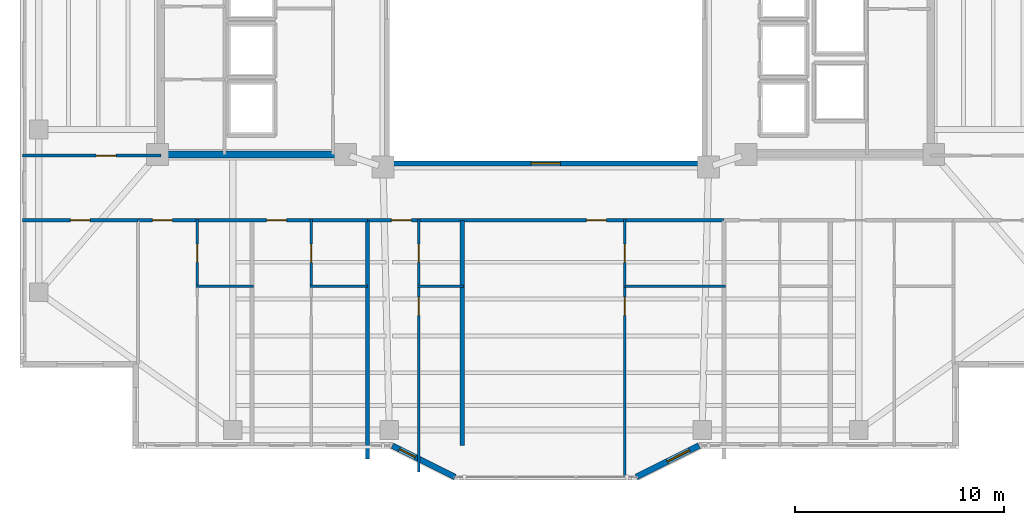
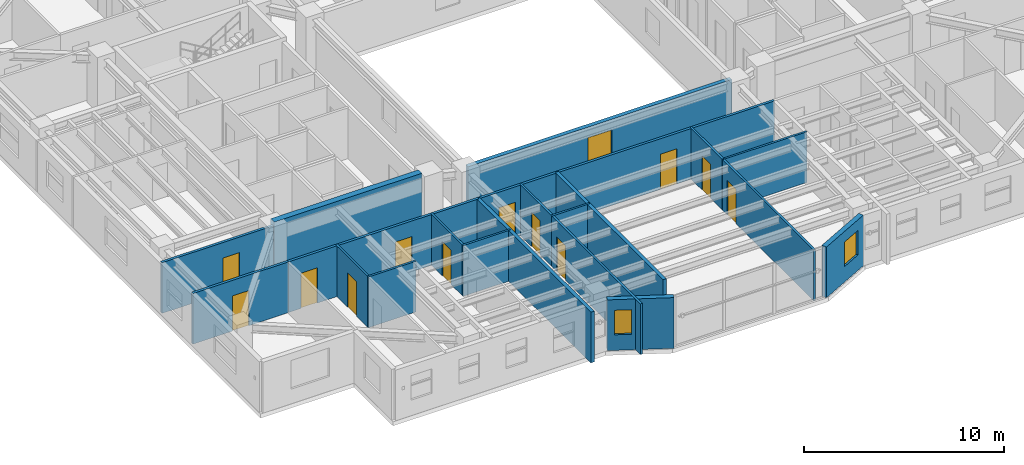
# One storey, part 6 of 16: 20 walls, 12 doors, 3 windows, 15 openings.
"""IFC4 building model written with IfcOpenShell, lengths in metres."""

from ifc_helpers import new_model, si_unit, direction, frame, frame_2d, origin, place, context, subcontext, project, spatial, rectangle, extrude, material, layer, layer_set, type_object, element, fill, save


model = new_model("IFC4")

# Units and contexts
model_context = context("Model", 3, precision=1e-05, world=origin(), true_north=direction((0.0, 1.0)))
body_context = subcontext(model_context, "Body", "Model", "MODEL_VIEW")
ifc_project = project(units=[si_unit("LENGTHUNIT", "METRE"), si_unit("AREAUNIT", "SQUARE_METRE"), si_unit("VOLUMEUNIT", "CUBIC_METRE"), si_unit("PLANEANGLEUNIT", "RADIAN"), si_unit("MASSUNIT", "GRAM", prefix="KILO")], contexts=[model_context])

# Site, building, storey
site_placement = place(None, origin())
site = spatial("IfcSite", under=ifc_project, at=site_placement, CompositionType="ELEMENT")
building_placement = place(site_placement, origin())
building = spatial("IfcBuilding", under=site, at=building_placement, Name="Tarnavaz Court Tower", CompositionType="ELEMENT")
storey_placement = place(building_placement, frame((0.0, 0.0, 135.949951171875)))
storey = spatial("IfcBuildingStorey", under=building, at=storey_placement, Name="L36", CompositionType="ELEMENT", Elevation=135.949951171875)

# Wall
ifc_material_1 = material(Name="Concrete C50/60", Category="concrete")
ifc_layer_1 = layer(ifc_material_1, 0.35009765625)
ifc_layer_set_1 = layer_set([ifc_layer_1], Name="Concrete C50/60")
wall_type_1 = type_object("IfcWallType", Name="WL-CORE-350-C50", PredefinedType="SHEAR", material=ifc_layer_set_1)
wall_1_placement = place(storey_placement, frame((-18.625, -7.199951171875, 0.0), z_axis=(0.0, 0.0, 1.0), x_axis=(1.0, 0.0, 0.0)))
element("IfcWall", 1, at=wall_1_placement, inside=storey, type_object=wall_type_1, Name="L36 West Core South Shear Wall 058", PredefinedType="SHEAR", context=body_context, shape_type="SweptSolid", body=[
    extrude(rectangle(XDim=8.550048828125, YDim=0.35009765625, at=frame_2d((4.27490234375, 0.0))), origin(), (0.0, 0.0, 1.0), 3.35009765625),
])

# Wall, opening, window
ifc_material_2 = material(Name="Precast Concrete C40/50", Category="concrete")
ifc_layer_2 = layer(ifc_material_2, 0.280029296875)
ifc_layer_set_2 = layer_set([ifc_layer_2], Name="Precast Concrete C40/50")
wall_type_2 = type_object("IfcWallType", Name="WL-EXT-280", PredefinedType="SOLIDWALL", material=ifc_layer_set_2)
wall_2_placement = place(storey_placement, frame((7.35009765625, -21.14990234375, 0.0), z_axis=(0.0, 0.0, 1.0), x_axis=(-0.894427191, -0.4472135955, 0.0)))
wall_2 = element("IfcWall", 2, at=wall_2_placement, inside=storey, type_object=wall_type_2, Name="L36 Exterior Terracotta Facade Wall 16", PredefinedType="SOLIDWALL", context=body_context, shape_type="SweptSolid", body=[
    extrude(rectangle(XDim=3.35400390625, YDim=0.280029296875, at=frame_2d((1.677001953125, 0.0))), origin(), (0.0, 0.0, 1.0), 3.10009765625),
])
opening_1_placement = place(wall_2_placement, frame((0.501220703125, 0.0, 0.949951171875)))
opening_1 = element("IfcOpeningElement", 3, at=opening_1_placement, cuts=wall_2, Name="Opening W05", PredefinedType="OPENING", context=body_context, shape_type="SweptSolid", body=[
    extrude(rectangle(XDim=1.199951171875, YDim=1.5, at=frame_2d((0.60009765625, 0.75))), frame((0.0, 0.14990234375, 0.0), z_axis=(0.0, -1.0, 0.0), x_axis=(1.0, 0.0, 0.0)), (0.0, 0.0, 1.0), 0.300048828125),
])
ifc_material_3 = material(Name="Double-Glazed Solar Low-E Glass", Category="glass")
window_type_1 = type_object("IfcWindowType", Name="WN-APT-1200", PartitioningType="SINGLE_PANEL", PredefinedType="WINDOW", material=ifc_material_3)
window_1_placement = place(opening_1_placement, origin())
window_1 = element("IfcWindow", 4, at=window_1_placement, inside=storey, type_object=window_type_1, Name="L36 Flat 10 Kitchen Window", OverallHeight=1.5, OverallWidth=1.199951171875, PartitioningType="SINGLE_PANEL", PredefinedType="WINDOW", context=body_context, shape_type="SweptSolid", body=[
    extrude(rectangle(XDim=1.199951171875, YDim=1.5, at=frame_2d((0.60009765625, 0.75))), frame((0.0, 0.030029296875, 0.0), z_axis=(0.0, -1.0, 0.0), x_axis=(1.0, 0.0, 0.0)), (0.0, 0.0, 1.0), 0.06005859375),
])
fill(opening_1, window_1)

wall_3_placement = place(storey_placement, frame((-4.35009765625, -22.64990234375, 0.0), z_axis=(0.0, 0.0, 1.0), x_axis=(-0.894427191, 0.4472135955, 0.0)))
wall_3 = element("IfcWall", 5, at=wall_3_placement, inside=storey, type_object=wall_type_2, Name="L36 Exterior Terracotta Facade Wall 18", PredefinedType="SOLIDWALL", context=body_context, shape_type="SweptSolid", body=[
    extrude(rectangle(XDim=3.35400390625, YDim=0.280029296875, at=frame_2d((1.677001953125, 0.0))), origin(), (0.0, 0.0, 1.0), 3.10009765625),
])
opening_2_placement = place(wall_3_placement, frame((2.12353515625, 0.0, 0.949951171875)))
opening_2 = element("IfcOpeningElement", 6, at=opening_2_placement, cuts=wall_3, Name="Opening W15", PredefinedType="OPENING", context=body_context, shape_type="SweptSolid", body=[
    extrude(rectangle(XDim=0.85009765625, YDim=1.5, at=frame_2d((0.425048828125, 0.75))), frame((0.0, 0.14990234375, 0.0), z_axis=(0.0, -1.0, 0.0), x_axis=(1.0, 0.0, 0.0)), (0.0, 0.0, 1.0), 0.300048828125),
])
window_type_2 = type_object("IfcWindowType", Name="WN-APT-850", PartitioningType="SINGLE_PANEL", PredefinedType="WINDOW", material=ifc_material_3)
window_2_placement = place(opening_2_placement, origin())
window_2 = element("IfcWindow", 7, at=window_2_placement, inside=storey, type_object=window_type_2, Name="L36 Prow Cheek Bedroom Window 18", OverallHeight=1.5, OverallWidth=0.85009765625, PartitioningType="SINGLE_PANEL", PredefinedType="WINDOW", context=body_context, shape_type="SweptSolid", body=[
    extrude(rectangle(XDim=0.85009765625, YDim=1.5, at=frame_2d((0.425048828125, 0.75))), frame((0.0, 0.030029296875, 0.0), z_axis=(0.0, -1.0, 0.0), x_axis=(1.0, 0.0, 0.0)), (0.0, 0.0, 1.0), 0.06005859375),
])
fill(opening_2, window_2)

# Wall, openings, doors
ifc_material_4 = material(Name="Gypsum Fire-Board on Acoustic Metal Stud", Category="masonry")
ifc_layer_3 = layer(ifc_material_4, 0.14990234375)
ifc_layer_set_3 = layer_set([ifc_layer_3], Name="Gypsum Fire-Board on Acoustic Metal Stud")
wall_type_3 = type_object("IfcWallType", Name="WL-FIRE-150", PredefinedType="PARTITIONING", material=ifc_layer_set_3)
wall_4_placement = place(storey_placement, frame((-19.550048828125, -10.35009765625, 0.0), z_axis=(0.0, 0.0, 1.0), x_axis=(1.0, 0.0, 0.0)))
wall_4 = element("IfcWall", 8, at=wall_4_placement, inside=storey, type_object=wall_type_3, Name="L36 SW Horseshoe Wall 074", PredefinedType="PARTITIONING", context=body_context, shape_type="SweptSolid", body=[
    extrude(rectangle(XDim=11.0, YDim=0.14990234375, at=frame_2d((5.5, 0.0))), origin(), (0.0, 0.0, 1.0), 3.10009765625),
])
opening_3_placement = place(wall_4_placement, frame((0.699951171875, 0.0, 0.0)))
opening_3 = element("IfcOpeningElement", 9, at=opening_3_placement, cuts=wall_4, Name="Opening D06", PredefinedType="OPENING", context=body_context, shape_type="SweptSolid", body=[
    extrude(rectangle(XDim=0.9599609375, YDim=2.14990234375, at=frame_2d((0.47998046875, 1.074951171875))), frame((0.0, 0.0849609375, 0.0), z_axis=(0.0, -1.0, 0.0), x_axis=(1.0, 0.0, 0.0)), (0.0, 0.0, 1.0), 0.169921875),
])
opening_4_placement = place(wall_4_placement, frame((6.175048828125, 0.0, 0.0)))
opening_4 = element("IfcOpeningElement", 10, at=opening_4_placement, cuts=wall_4, Name="Opening D06", PredefinedType="OPENING", context=body_context, shape_type="SweptSolid", body=[
    extrude(rectangle(XDim=0.9599609375, YDim=2.14990234375, at=frame_2d((0.47998046875, 1.074951171875))), frame((0.0, 0.0849609375, 0.0), z_axis=(0.0, -1.0, 0.0), x_axis=(1.0, 0.0, 0.0)), (0.0, 0.0, 1.0), 0.169921875),
])
ifc_material_5 = material(Name="Fire-Rated Hardwood Timber Core", Category="wood")
door_type_1 = type_object("IfcDoorType", Name="DR-FD60-950", OperationType="NOTDEFINED", PredefinedType="DOOR", material=ifc_material_5)
door_1_placement = place(opening_3_placement, origin())
door_1 = element("IfcDoor", 11, at=door_1_placement, inside=storey, type_object=door_type_1, Name="L36 Flat 05 Entrance Door", OperationType="SINGLE_SWING_RIGHT", OverallHeight=2.14990234375, OverallWidth=0.9599609375, PredefinedType="DOOR", context=body_context, shape_type="SweptSolid", body=[
    extrude(rectangle(XDim=0.9599609375, YDim=2.14990234375, at=frame_2d((0.47998046875, 1.074951171875))), frame((0.0, 0.02490234375, 0.0), z_axis=(0.0, -1.0, 0.0), x_axis=(1.0, 0.0, 0.0)), (0.0, 0.0, 1.0), 0.050048828125),
])
fill(opening_3, door_1)
door_2_placement = place(opening_4_placement, origin())
door_2 = element("IfcDoor", 12, at=door_2_placement, inside=storey, type_object=door_type_1, Name="L36 Flat 06 Entrance Door", OperationType="SINGLE_SWING_LEFT", OverallHeight=2.14990234375, OverallWidth=0.9599609375, PredefinedType="DOOR", context=body_context, shape_type="SweptSolid", body=[
    extrude(rectangle(XDim=0.9599609375, YDim=2.14990234375, at=frame_2d((0.47998046875, 1.074951171875))), frame((0.0, 0.02490234375, 0.0), z_axis=(0.0, -1.0, 0.0), x_axis=(1.0, 0.0, 0.0)), (0.0, 0.0, 1.0), 0.050048828125),
])
fill(opening_4, door_2)

wall_5_placement = place(storey_placement, frame((-8.550048828125, -10.35009765625, 0.0), z_axis=(0.0, 0.0, 1.0), x_axis=(1.0, 0.0, 0.0)))
wall_5 = element("IfcWall", 13, at=wall_5_placement, inside=storey, type_object=wall_type_3, Name="L36 Interior Partition 107", PredefinedType="PARTITIONING", context=body_context, shape_type="SweptSolid", body=[
    extrude(rectangle(XDim=17.10009765625, YDim=0.14990234375, at=frame_2d((8.550048828125, 0.0))), origin(), (0.0, 0.0, 1.0), 3.10009765625),
])
opening_5_placement = place(wall_5_placement, frame((1.14990234375, 0.0, 0.0)))
opening_5 = element("IfcOpeningElement", 14, at=opening_5_placement, cuts=wall_5, Name="Opening D06", PredefinedType="OPENING", context=body_context, shape_type="SweptSolid", body=[
    extrude(rectangle(XDim=0.9599609375, YDim=2.14990234375, at=frame_2d((0.47998046875, 1.074951171875))), frame((0.0, 0.0849609375, 0.0), z_axis=(0.0, -1.0, 0.0), x_axis=(1.0, 0.0, 0.0)), (0.0, 0.0, 1.0), 0.169921875),
])
opening_6_placement = place(wall_5_placement, frame((10.5, 0.0, 0.0)))
opening_6 = element("IfcOpeningElement", 15, at=opening_6_placement, cuts=wall_5, Name="Opening D06", PredefinedType="OPENING", context=body_context, shape_type="SweptSolid", body=[
    extrude(rectangle(XDim=0.9599609375, YDim=2.14990234375, at=frame_2d((0.47998046875, 1.074951171875))), frame((0.0, 0.0849609375, 0.0), z_axis=(0.0, -1.0, 0.0), x_axis=(1.0, 0.0, 0.0)), (0.0, 0.0, 1.0), 0.169921875),
])
door_3_placement = place(opening_5_placement, origin())
door_3 = element("IfcDoor", 16, at=door_3_placement, inside=storey, type_object=door_type_1, Name="L36 Flat 09 Entrance Door", OperationType="SINGLE_SWING_RIGHT", OverallHeight=2.14990234375, OverallWidth=0.9599609375, PredefinedType="DOOR", context=body_context, shape_type="SweptSolid", body=[
    extrude(rectangle(XDim=0.9599609375, YDim=2.14990234375, at=frame_2d((0.47998046875, 1.074951171875))), frame((0.0, 0.02490234375, 0.0), z_axis=(0.0, -1.0, 0.0), x_axis=(1.0, 0.0, 0.0)), (0.0, 0.0, 1.0), 0.050048828125),
])
fill(opening_5, door_3)
door_4_placement = place(opening_6_placement, origin())
door_4 = element("IfcDoor", 17, at=door_4_placement, inside=storey, type_object=door_type_1, Name="L36 Flat 10 Entrance Door", OperationType="SINGLE_SWING_LEFT", OverallHeight=2.14990234375, OverallWidth=0.9599609375, PredefinedType="DOOR", context=body_context, shape_type="SweptSolid", body=[
    extrude(rectangle(XDim=0.9599609375, YDim=2.14990234375, at=frame_2d((0.47998046875, 1.074951171875))), frame((0.0, 0.02490234375, 0.0), z_axis=(0.0, -1.0, 0.0), x_axis=(1.0, 0.0, 0.0)), (0.0, 0.0, 1.0), 0.050048828125),
])
fill(opening_6, door_4)

# Wall, opening, door
wall_6_placement = place(storey_placement, frame((-25.080078125, -7.25, 0.0), z_axis=(0.0, 0.0, 1.0), x_axis=(1.0, 0.0, 0.0)))
wall_6 = element("IfcWall", 18, at=wall_6_placement, inside=storey, type_object=wall_type_3, Name="L36 Interior Partition 115", PredefinedType="PARTITIONING", context=body_context, shape_type="SweptSolid", body=[
    extrude(rectangle(XDim=6.630126953125, YDim=0.14990234375, at=frame_2d((3.31494140625, 0.0))), origin(), (0.0, 0.0, 1.0), 3.10009765625),
])
opening_7_placement = place(wall_6_placement, frame((3.530029296875, 0.0, 0.0)))
opening_7 = element("IfcOpeningElement", 19, at=opening_7_placement, cuts=wall_6, Name="Opening D06", PredefinedType="OPENING", context=body_context, shape_type="SweptSolid", body=[
    extrude(rectangle(XDim=0.9599609375, YDim=2.14990234375, at=frame_2d((0.47998046875, 1.074951171875))), frame((0.0, 0.0849609375, 0.0), z_axis=(0.0, -1.0, 0.0), x_axis=(1.0, 0.0, 0.0)), (0.0, 0.0, 1.0), 0.169921875),
])
door_5_placement = place(opening_7_placement, origin())
door_5 = element("IfcDoor", 20, at=door_5_placement, inside=storey, type_object=door_type_1, Name="L36 Flat 11 Entrance Door", OperationType="SINGLE_SWING_RIGHT", OverallHeight=2.14990234375, OverallWidth=0.9599609375, PredefinedType="DOOR", context=body_context, shape_type="SweptSolid", body=[
    extrude(rectangle(XDim=0.9599609375, YDim=2.14990234375, at=frame_2d((0.47998046875, 1.074951171875))), frame((0.0, 0.02490234375, 0.0), z_axis=(0.0, -1.0, 0.0), x_axis=(1.0, 0.0, 0.0)), (0.0, 0.0, 1.0), 0.050048828125),
])
fill(opening_7, door_5)

wall_7_placement = place(storey_placement, frame((-25.080078125, -10.35009765625, 0.0), z_axis=(0.0, 0.0, 1.0), x_axis=(1.0, 0.0, 0.0)))
wall_7 = element("IfcWall", 21, at=wall_7_placement, inside=storey, type_object=wall_type_3, Name="L36 Interior Partition 125", PredefinedType="PARTITIONING", context=body_context, shape_type="SweptSolid", body=[
    extrude(rectangle(XDim=5.530029296875, YDim=0.14990234375, at=frame_2d((2.76513671875, 0.0))), origin(), (0.0, 0.0, 1.0), 3.10009765625),
])
opening_8_placement = place(wall_7_placement, frame((2.2900390625, 0.0, 0.0)))
opening_8 = element("IfcOpeningElement", 22, at=opening_8_placement, cuts=wall_7, Name="Opening D13", PredefinedType="OPENING", context=body_context, shape_type="SweptSolid", body=[
    extrude(rectangle(XDim=0.949951171875, YDim=2.14990234375, at=frame_2d((0.47509765625, 1.074951171875))), frame((0.0, 0.0849609375, 0.0), z_axis=(0.0, -1.0, 0.0), x_axis=(1.0, 0.0, 0.0)), (0.0, 0.0, 1.0), 0.169921875),
])
ifc_material_6 = material(Name="Engineered Oak Timber", Category="wood")
door_type_2 = type_object("IfcDoorType", Name="DR-INT-950", OperationType="NOTDEFINED", PredefinedType="DOOR", material=ifc_material_6)
door_6_placement = place(opening_8_placement, origin())
door_6 = element("IfcDoor", 23, at=door_6_placement, inside=storey, type_object=door_type_2, Name="L36 SW Reading Room Door", OperationType="SINGLE_SWING_RIGHT", OverallHeight=2.14990234375, OverallWidth=0.949951171875, PredefinedType="DOOR", context=body_context, shape_type="SweptSolid", body=[
    extrude(rectangle(XDim=0.949951171875, YDim=2.14990234375, at=frame_2d((0.47509765625, 1.074951171875))), frame((0.0, 0.02490234375, 0.0), z_axis=(0.0, -1.0, 0.0), x_axis=(1.0, 0.0, 0.0)), (0.0, 0.0, 1.0), 0.050048828125),
])
fill(opening_8, door_6)

# Walls
ifc_material_7 = material(Name="Autoclaved Aerated Concrete Blockwork", Category="masonry")
ifc_layer_4 = layer(ifc_material_7, 0.199951171875)
ifc_layer_set_4 = layer_set([ifc_layer_4], Name="Autoclaved Aerated Concrete Blockwork")
wall_type_4 = type_object("IfcWallType", Name="WL-FIRE-200", PredefinedType="SOLIDWALL", material=ifc_layer_set_4)
wall_8_placement = place(storey_placement, frame((-8.550048828125, -21.803955078125, 0.0), z_axis=(0.0, 0.0, 1.0), x_axis=(0.0, 1.0, 0.0)))
element("IfcWall", 24, at=wall_8_placement, inside=storey, type_object=wall_type_4, Name="L36 Party Wall 105", PredefinedType="SOLIDWALL", context=body_context, shape_type="SweptSolid", body=[
    extrude(rectangle(XDim=11.453857421875, YDim=0.199951171875, at=frame_2d((5.72705078125, 0.0))), origin(), (0.0, 0.0, 1.0), 3.10009765625),
])
wall_9_placement = place(storey_placement, frame((-4.0, -21.14990234375, 0.0), z_axis=(0.0, 0.0, 1.0), x_axis=(0.0, 1.0, 0.0)))
element("IfcWall", 25, at=wall_9_placement, inside=storey, type_object=wall_type_4, Name="L36 Party Wall 108", PredefinedType="SOLIDWALL", context=body_context, shape_type="SweptSolid", body=[
    extrude(rectangle(XDim=10.7998046875, YDim=0.199951171875, at=frame_2d((5.39990234375, 0.0))), origin(), (0.0, 0.0, 1.0), 3.10009765625),
])

# Wall, opening, door
ifc_material_8 = material(Name="Moisture-Resistant Gypsum Board Partition", Category="masonry")
ifc_layer_5 = layer(ifc_material_8, 0.1201171875)
ifc_layer_set_5 = layer_set([ifc_layer_5], Name="Moisture-Resistant Gypsum Board Partition")
wall_type_5 = type_object("IfcWallType", Name="WL-PART-120", PredefinedType="PARTITIONING", material=ifc_layer_set_5)
wall_10_placement = place(storey_placement, frame((-16.705078125, -13.510009765625, 0.0), z_axis=(0.0, 0.0, 1.0), x_axis=(0.0, 1.0, 0.0)))
wall_10 = element("IfcWall", 26, at=wall_10_placement, inside=storey, type_object=wall_type_5, Name="L36 Interior Partition 093", PredefinedType="PARTITIONING", context=body_context, shape_type="SweptSolid", body=[
    extrude(rectangle(XDim=3.219970703125, YDim=0.1201171875, at=frame_2d((1.60986328125, 0.0))), origin(), (0.0, 0.0, 1.0), 3.10009765625),
])
opening_9_placement = place(wall_10_placement, frame((1.139892578125, 0.0, 0.0)))
opening_9 = element("IfcOpeningElement", 27, at=opening_9_placement, cuts=wall_10, Name="Opening D14", PredefinedType="OPENING", context=body_context, shape_type="SweptSolid", body=[
    extrude(rectangle(XDim=0.8798828125, YDim=2.10009765625, at=frame_2d((0.43994140625, 1.050048828125))), frame((0.0, 0.070068359375, 0.0), z_axis=(0.0, -1.0, 0.0), x_axis=(1.0, 0.0, 0.0)), (0.0, 0.0, 1.0), 0.14013671875),
])
door_type_3 = type_object("IfcDoorType", Name="DR-INT-900", OperationType="NOTDEFINED", PredefinedType="DOOR", material=ifc_material_6)
door_7_placement = place(opening_9_placement, origin())
door_7 = element("IfcDoor", 28, at=door_7_placement, inside=storey, type_object=door_type_3, Name="L36 Flat 05 Bathroom Door", OperationType="SINGLE_SWING_RIGHT", OverallHeight=2.10009765625, OverallWidth=0.8798828125, PredefinedType="DOOR", context=body_context, shape_type="SweptSolid", body=[
    extrude(rectangle(XDim=0.8798828125, YDim=2.10009765625, at=frame_2d((0.43994140625, 1.050048828125))), frame((0.0, 0.02490234375, 0.0), z_axis=(0.0, -1.0, 0.0), x_axis=(1.0, 0.0, 0.0)), (0.0, 0.0, 1.0), 0.050048828125),
])
fill(opening_9, door_7)

# Wall
wall_11_placement = place(storey_placement, frame((-16.764892578125, -13.510009765625, 0.0), z_axis=(0.0, 0.0, 1.0), x_axis=(1.0, 0.0, 0.0)))
element("IfcWall", 29, at=wall_11_placement, inside=storey, type_object=wall_type_5, Name="L36 Interior Partition 094", PredefinedType="PARTITIONING", context=body_context, shape_type="SweptSolid", body=[
    extrude(rectangle(XDim=2.75, YDim=0.1201171875, at=frame_2d((1.375, 0.0))), origin(), (0.0, 0.0, 1.0), 3.10009765625),
])

# Wall, opening, door
wall_12_placement = place(storey_placement, frame((-11.22998046875, -13.510009765625, 0.0), z_axis=(0.0, 0.0, 1.0), x_axis=(0.0, 1.0, 0.0)))
wall_12 = element("IfcWall", 30, at=wall_12_placement, inside=storey, type_object=wall_type_5, Name="L36 Interior Partition 096", PredefinedType="PARTITIONING", context=body_context, shape_type="SweptSolid", body=[
    extrude(rectangle(XDim=3.219970703125, YDim=0.1201171875, at=frame_2d((1.60986328125, 0.0))), origin(), (0.0, 0.0, 1.0), 3.10009765625),
])
opening_10_placement = place(wall_12_placement, frame((1.139892578125, 0.0, 0.0)))
opening_10 = element("IfcOpeningElement", 31, at=opening_10_placement, cuts=wall_12, Name="Opening D14", PredefinedType="OPENING", context=body_context, shape_type="SweptSolid", body=[
    extrude(rectangle(XDim=0.8798828125, YDim=2.10009765625, at=frame_2d((0.43994140625, 1.050048828125))), frame((0.0, 0.070068359375, 0.0), z_axis=(0.0, -1.0, 0.0), x_axis=(1.0, 0.0, 0.0)), (0.0, 0.0, 1.0), 0.14013671875),
])
door_8_placement = place(opening_10_placement, origin())
door_8 = element("IfcDoor", 32, at=door_8_placement, inside=storey, type_object=door_type_3, Name="L36 Flat 06 Bathroom Door", OperationType="SINGLE_SWING_LEFT", OverallHeight=2.10009765625, OverallWidth=0.8798828125, PredefinedType="DOOR", context=body_context, shape_type="SweptSolid", body=[
    extrude(rectangle(XDim=0.8798828125, YDim=2.10009765625, at=frame_2d((0.43994140625, 1.050048828125))), frame((0.0, 0.02490234375, 0.0), z_axis=(0.0, -1.0, 0.0), x_axis=(1.0, 0.0, 0.0)), (0.0, 0.0, 1.0), 0.050048828125),
])
fill(opening_10, door_8)

# Wall
wall_13_placement = place(storey_placement, frame((-11.2900390625, -13.510009765625, 0.0), z_axis=(0.0, 0.0, 1.0), x_axis=(1.0, 0.0, 0.0)))
element("IfcWall", 33, at=wall_13_placement, inside=storey, type_object=wall_type_5, Name="L36 Interior Partition 097", PredefinedType="PARTITIONING", context=body_context, shape_type="SweptSolid", body=[
    extrude(rectangle(XDim=2.75, YDim=0.1201171875, at=frame_2d((1.375, 0.0))), origin(), (0.0, 0.0, 1.0), 3.10009765625),
])

# Wall, opening, door
wall_14_placement = place(storey_placement, frame((-6.080078125, -22.4140625, 0.0), z_axis=(0.0, 0.0, 1.0), x_axis=(0.0, 1.0, 0.0)))
wall_14 = element("IfcWall", 34, at=wall_14_placement, inside=storey, type_object=wall_type_5, Name="L36 Interior Partition 109", PredefinedType="PARTITIONING", context=body_context, shape_type="SweptSolid", body=[
    extrude(rectangle(XDim=8.904052734375, YDim=0.1201171875, at=frame_2d((4.4521484375, 0.0))), origin(), (0.0, 0.0, 1.0), 3.10009765625),
])
opening_11_placement = place(wall_14_placement, frame((7.50390625, 0.0, 0.0)))
opening_11 = element("IfcOpeningElement", 35, at=opening_11_placement, cuts=wall_14, Name="Opening D14", PredefinedType="OPENING", context=body_context, shape_type="SweptSolid", body=[
    extrude(rectangle(XDim=0.8798828125, YDim=2.10009765625, at=frame_2d((0.43994140625, 1.050048828125))), frame((0.0, 0.070068359375, 0.0), z_axis=(0.0, -1.0, 0.0), x_axis=(1.0, 0.0, 0.0)), (0.0, 0.0, 1.0), 0.14013671875),
])
door_9_placement = place(opening_11_placement, origin())
door_9 = element("IfcDoor", 36, at=door_9_placement, inside=storey, type_object=door_type_3, Name="L36 Flat 09 Kitchen Door", OperationType="SINGLE_SWING_LEFT", OverallHeight=2.10009765625, OverallWidth=0.8798828125, PredefinedType="DOOR", context=body_context, shape_type="SweptSolid", body=[
    extrude(rectangle(XDim=0.8798828125, YDim=2.10009765625, at=frame_2d((0.43994140625, 1.050048828125))), frame((0.0, 0.02490234375, 0.0), z_axis=(0.0, -1.0, 0.0), x_axis=(1.0, 0.0, 0.0)), (0.0, 0.0, 1.0), 0.050048828125),
])
fill(opening_11, door_9)

wall_15_placement = place(storey_placement, frame((-6.080078125, -13.510009765625, 0.0), z_axis=(0.0, 0.0, 1.0), x_axis=(0.0, 1.0, 0.0)))
wall_15 = element("IfcWall", 37, at=wall_15_placement, inside=storey, type_object=wall_type_5, Name="L36 Interior Partition 110", PredefinedType="PARTITIONING", context=body_context, shape_type="SweptSolid", body=[
    extrude(rectangle(XDim=3.219970703125, YDim=0.1201171875, at=frame_2d((1.60986328125, 0.0))), origin(), (0.0, 0.0, 1.0), 3.10009765625),
])
opening_12_placement = place(wall_15_placement, frame((1.139892578125, 0.0, 0.0)))
opening_12 = element("IfcOpeningElement", 38, at=opening_12_placement, cuts=wall_15, Name="Opening D14", PredefinedType="OPENING", context=body_context, shape_type="SweptSolid", body=[
    extrude(rectangle(XDim=0.8798828125, YDim=2.10009765625, at=frame_2d((0.43994140625, 1.050048828125))), frame((0.0, 0.070068359375, 0.0), z_axis=(0.0, -1.0, 0.0), x_axis=(1.0, 0.0, 0.0)), (0.0, 0.0, 1.0), 0.14013671875),
])
door_10_placement = place(opening_12_placement, origin())
door_10 = element("IfcDoor", 39, at=door_10_placement, inside=storey, type_object=door_type_3, Name="L36 Flat 09 Bathroom Door", OperationType="SINGLE_SWING_RIGHT", OverallHeight=2.10009765625, OverallWidth=0.8798828125, PredefinedType="DOOR", context=body_context, shape_type="SweptSolid", body=[
    extrude(rectangle(XDim=0.8798828125, YDim=2.10009765625, at=frame_2d((0.43994140625, 1.050048828125))), frame((0.0, 0.02490234375, 0.0), z_axis=(0.0, -1.0, 0.0), x_axis=(1.0, 0.0, 0.0)), (0.0, 0.0, 1.0), 0.050048828125),
])
fill(opening_12, door_10)

# Wall
wall_16_placement = place(storey_placement, frame((-6.139892578125, -13.510009765625, 0.0), z_axis=(0.0, 0.0, 1.0), x_axis=(1.0, 0.0, 0.0)))
element("IfcWall", 40, at=wall_16_placement, inside=storey, type_object=wall_type_5, Name="L36 Interior Partition 111", PredefinedType="PARTITIONING", context=body_context, shape_type="SweptSolid", body=[
    extrude(rectangle(XDim=2.199951171875, YDim=0.1201171875, at=frame_2d((1.10009765625, 0.0))), origin(), (0.0, 0.0, 1.0), 3.10009765625),
])

# Wall, opening, door
wall_17_placement = place(storey_placement, frame((3.780029296875, -22.679931640625, 0.0), z_axis=(0.0, 0.0, 1.0), x_axis=(0.0, 1.0, 0.0)))
wall_17 = element("IfcWall", 41, at=wall_17_placement, inside=storey, type_object=wall_type_5, Name="L36 Interior Partition 112", PredefinedType="PARTITIONING", context=body_context, shape_type="SweptSolid", body=[
    extrude(rectangle(XDim=9.169921875, YDim=0.1201171875, at=frame_2d((4.5849609375, 0.0))), origin(), (0.0, 0.0, 1.0), 3.10009765625),
])
opening_13_placement = place(wall_17_placement, frame((7.77001953125, 0.0, 0.0)))
opening_13 = element("IfcOpeningElement", 42, at=opening_13_placement, cuts=wall_17, Name="Opening D14", PredefinedType="OPENING", context=body_context, shape_type="SweptSolid", body=[
    extrude(rectangle(XDim=0.8798828125, YDim=2.10009765625, at=frame_2d((0.43994140625, 1.050048828125))), frame((0.0, 0.070068359375, 0.0), z_axis=(0.0, -1.0, 0.0), x_axis=(1.0, 0.0, 0.0)), (0.0, 0.0, 1.0), 0.14013671875),
])
door_11_placement = place(opening_13_placement, origin())
door_11 = element("IfcDoor", 43, at=door_11_placement, inside=storey, type_object=door_type_3, Name="L36 Flat 10 Kitchen Door", OperationType="SINGLE_SWING_RIGHT", OverallHeight=2.10009765625, OverallWidth=0.8798828125, PredefinedType="DOOR", context=body_context, shape_type="SweptSolid", body=[
    extrude(rectangle(XDim=0.8798828125, YDim=2.10009765625, at=frame_2d((0.43994140625, 1.050048828125))), frame((0.0, 0.02490234375, 0.0), z_axis=(0.0, -1.0, 0.0), x_axis=(1.0, 0.0, 0.0)), (0.0, 0.0, 1.0), 0.050048828125),
])
fill(opening_13, door_11)

wall_18_placement = place(storey_placement, frame((3.780029296875, -13.510009765625, 0.0), z_axis=(0.0, 0.0, 1.0), x_axis=(0.0, 1.0, 0.0)))
wall_18 = element("IfcWall", 44, at=wall_18_placement, inside=storey, type_object=wall_type_5, Name="L36 Interior Partition 113", PredefinedType="PARTITIONING", context=body_context, shape_type="SweptSolid", body=[
    extrude(rectangle(XDim=3.219970703125, YDim=0.1201171875, at=frame_2d((1.60986328125, 0.0))), origin(), (0.0, 0.0, 1.0), 3.10009765625),
])
opening_14_placement = place(wall_18_placement, frame((1.139892578125, 0.0, 0.0)))
opening_14 = element("IfcOpeningElement", 45, at=opening_14_placement, cuts=wall_18, Name="Opening D14", PredefinedType="OPENING", context=body_context, shape_type="SweptSolid", body=[
    extrude(rectangle(XDim=0.8798828125, YDim=2.10009765625, at=frame_2d((0.43994140625, 1.050048828125))), frame((0.0, 0.070068359375, 0.0), z_axis=(0.0, -1.0, 0.0), x_axis=(1.0, 0.0, 0.0)), (0.0, 0.0, 1.0), 0.14013671875),
])
door_12_placement = place(opening_14_placement, origin())
door_12 = element("IfcDoor", 46, at=door_12_placement, inside=storey, type_object=door_type_3, Name="L36 Flat 10 Bathroom Door", OperationType="SINGLE_SWING_LEFT", OverallHeight=2.10009765625, OverallWidth=0.8798828125, PredefinedType="DOOR", context=body_context, shape_type="SweptSolid", body=[
    extrude(rectangle(XDim=0.8798828125, YDim=2.10009765625, at=frame_2d((0.43994140625, 1.050048828125))), frame((0.0, 0.02490234375, 0.0), z_axis=(0.0, -1.0, 0.0), x_axis=(1.0, 0.0, 0.0)), (0.0, 0.0, 1.0), 0.050048828125),
])
fill(opening_14, door_12)

# Wall
wall_19_placement = place(storey_placement, frame((3.719970703125, -13.510009765625, 0.0), z_axis=(0.0, 0.0, 1.0), x_axis=(1.0, 0.0, 0.0)))
element("IfcWall", 47, at=wall_19_placement, inside=storey, type_object=wall_type_5, Name="L36 Interior Partition 114", PredefinedType="PARTITIONING", context=body_context, shape_type="SweptSolid", body=[
    extrude(rectangle(XDim=4.89013671875, YDim=0.1201171875, at=frame_2d((2.445068359375, 0.0))), origin(), (0.0, 0.0, 1.0), 3.10009765625),
])

# Wall, opening, window
ifc_layer_6 = layer(ifc_material_2, 0.239990234375)
ifc_layer_set_6 = layer_set([ifc_layer_6], Name="Precast Concrete C40/50")
wall_type_6 = type_object("IfcWallType", Name="WL-WELL-240", PredefinedType="SOLIDWALL", material=ifc_layer_set_6)
wall_20_placement = place(storey_placement, frame((-7.6201171875, -7.6201171875, 0.0), z_axis=(0.0, 0.0, 1.0), x_axis=(1.0, 0.0, 0.0)))
wall_20 = element("IfcWall", 48, at=wall_20_placement, inside=storey, type_object=wall_type_6, Name="L36 Badgir Light-Well Exterior Wall S", PredefinedType="SOLIDWALL", context=body_context, shape_type="SweptSolid", body=[
    extrude(rectangle(XDim=15.240234375, YDim=0.239990234375, at=frame_2d((7.6201171875, 0.0))), origin(), (0.0, 0.0, 1.0), 3.10009765625),
])
opening_15_placement = place(wall_20_placement, frame((6.919921875, 0.0, 0.949951171875)))
opening_15 = element("IfcOpeningElement", 49, at=opening_15_placement, cuts=wall_20, Name="Opening W13", PredefinedType="OPENING", context=body_context, shape_type="SweptSolid", body=[
    extrude(rectangle(XDim=1.39990234375, YDim=1.5, at=frame_2d((0.699951171875, 0.75))), frame((0.0, 0.1298828125, 0.0), z_axis=(0.0, -1.0, 0.0), x_axis=(1.0, 0.0, 0.0)), (0.0, 0.0, 1.0), 0.260009765625),
])
window_type_3 = type_object("IfcWindowType", Name="WN-WEL-1400", PartitioningType="SINGLE_PANEL", PredefinedType="WINDOW", material=ifc_material_3)
window_3_placement = place(opening_15_placement, origin())
window_3 = element("IfcWindow", 50, at=window_3_placement, inside=storey, type_object=window_type_3, Name="L36 Courtyard Gallery Window S", OverallHeight=1.5, OverallWidth=1.39990234375, PartitioningType="SINGLE_PANEL", PredefinedType="WINDOW", context=body_context, shape_type="SweptSolid", body=[
    extrude(rectangle(XDim=1.39990234375, YDim=1.5, at=frame_2d((0.699951171875, 0.75))), frame((0.0, 0.030029296875, 0.0), z_axis=(0.0, -1.0, 0.0), x_axis=(1.0, 0.0, 0.0)), (0.0, 0.0, 1.0), 0.06005859375),
])
fill(opening_15, window_3)

save(model, "model.ifc")
